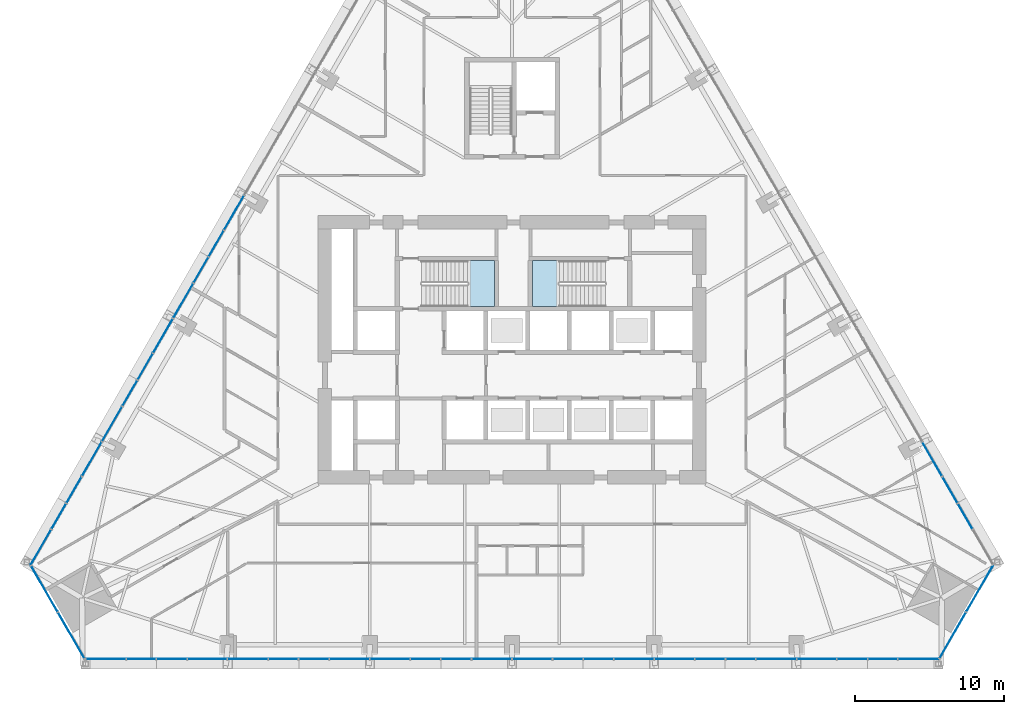
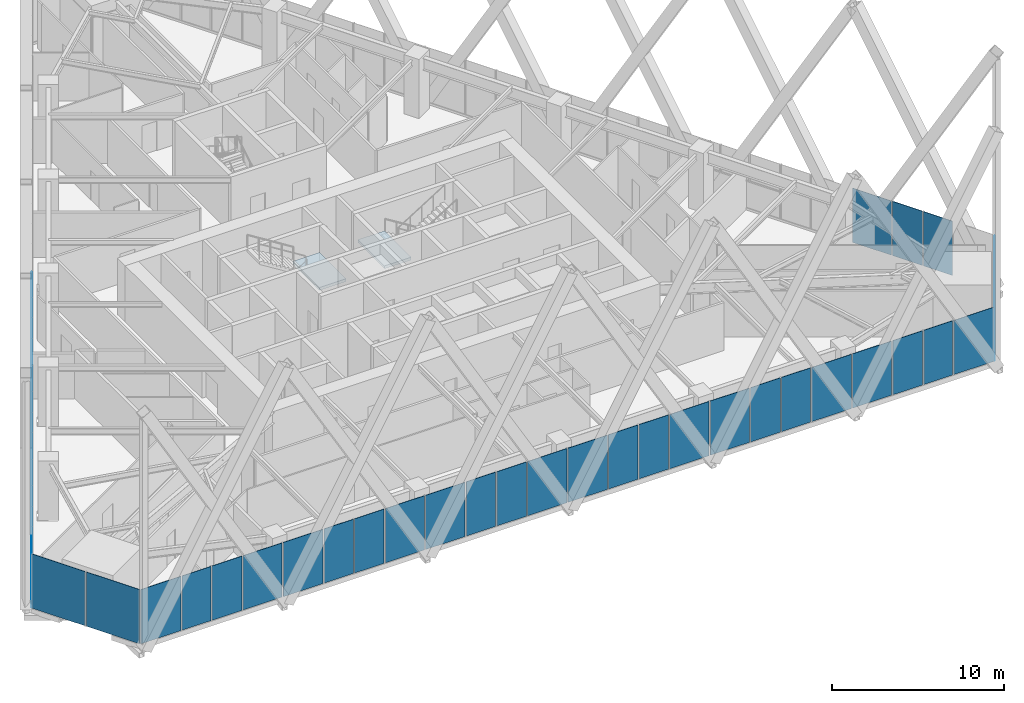
# One storey, part 13 of 23: 43 plates, 2 slabs, 7 elements without a shape of their own.
"""IFC4 building model written with IfcOpenShell, lengths in metres."""

from ifc_helpers import new_model, si_unit, direction, frame, origin, place, context, subcontext, project, spatial, polyline, outline, extrude, material, layer, layer_set, type_object, element, aggregate, save


model = new_model("IFC4")

# Units and contexts
model_context = context("Model", 3, precision=1e-05, world=origin(), true_north=direction((0.0, 1.0)))
body_context = subcontext(model_context, "Body", "Model", "MODEL_VIEW")
ifc_project = project(units=[si_unit("LENGTHUNIT", "METRE"), si_unit("AREAUNIT", "SQUARE_METRE"), si_unit("VOLUMEUNIT", "CUBIC_METRE"), si_unit("PLANEANGLEUNIT", "RADIAN"), si_unit("MASSUNIT", "GRAM", prefix="KILO")], contexts=[model_context])

# Site, building, storey
site_placement = place(None, origin())
site = spatial("IfcSite", under=ifc_project, at=site_placement, CompositionType="ELEMENT")
building_placement = place(site_placement, origin())
building = spatial("IfcBuilding", under=site, at=building_placement, Name="Firuza Gate Tower and Library", CompositionType="ELEMENT")
storey_placement = place(building_placement, frame((0.0, 0.0, 56.800048828125)))
storey = spatial("IfcBuildingStorey", under=building, at=storey_placement, Name="L12", CompositionType="ELEMENT", Elevation=56.800048828125)

# Curtain wall, plates
ifc_material_1 = material(Name="Aluminium 6063-T6", Category="aluminium")
ifc_layer_1 = layer(ifc_material_1, 0.14990234375)
ifc_layer_set_1 = layer_set([ifc_layer_1], Name="Corner curtain wall, chamfers")
curtain_wall_type_1 = type_object("IfcCurtainWallType", Name="Corner curtain wall, chamfers", PredefinedType="NOTDEFINED", material=ifc_layer_set_1)
placement_1 = place(storey_placement, origin())
curtain_wall_1 = element("IfcCurtainWall", 1, at=placement_1, inside=storey, type_object=curtain_wall_type_1, Name="CW4 L12 SE corner", PredefinedType="NOTDEFINED")
ifc_material_2 = material(Name="Fritted glass", Category="glass")
ifc_layer_2 = layer(ifc_material_2, 0.030029296875)
ifc_layer_set_2 = layer_set([ifc_layer_2], Name="Fritted glass unit, corners")
plate_type_1 = type_object("IfcPlateType", Name="Fritted glass unit, corners", PredefinedType="CURTAIN_PANEL", material=ifc_layer_set_2)
plate_1_placement = place(storey_placement, frame((103.6796875, 54.281005859375, 0.14990234375), z_axis=(0.866016723041, -0.500015035186, 0.0), x_axis=(0.500015035186, 0.866016723041, 0.0)))
plate_1 = element("IfcPlate", 2, at=plate_1_placement, type_object=plate_type_1, Name="Glass unit", PredefinedType="CURTAIN_PANEL", context=body_context, shape_type="SweptSolid", body=[
    extrude(outline(polyline([(0.0, 0.0), (3.5633694106530625, 0.0), (3.5633694106530625, 3.85009765625), (0.0, 3.85009765625), (0.0, 0.0)])), origin(), (0.0, 0.0, -1.0), 0.030029296875),
])
plate_2_placement = place(storey_placement, frame((105.501220703125, 57.436279296875, 0.14990234375), z_axis=(0.866016723041, -0.500015035186, 0.0), x_axis=(0.500015035186, 0.866016723041, 0.0)))
plate_2 = element("IfcPlate", 3, at=plate_2_placement, type_object=plate_type_1, Name="Glass unit", PredefinedType="CURTAIN_PANEL", context=body_context, shape_type="SweptSolid", body=[
    extrude(outline(polyline([(0.0, 0.0), (3.5633694106530625, 0.0), (3.5633694106530625, 3.85009765625), (0.0, 3.85009765625), (0.0, 0.0)])), origin(), (0.0, 0.0, -1.0), 0.030029296875),
])
aggregate(curtain_wall_1, [plate_1, plate_2])

curtain_wall_2 = element("IfcCurtainWall", 4, at=placement_1, inside=storey, type_object=curtain_wall_type_1, Name="CW4 L12 SW corner", PredefinedType="NOTDEFINED")
plate_3_placement = place(storey_placement, frame((42.717041015625, 60.522216796875, 0.14990234375), z_axis=(-0.866016723041, -0.500015035186, 0.0), x_axis=(0.500015035186, -0.866016723041, 0.0)))
plate_3 = element("IfcPlate", 5, at=plate_3_placement, type_object=plate_type_1, Name="Glass unit", PredefinedType="CURTAIN_PANEL", context=body_context, shape_type="SweptSolid", body=[
    extrude(outline(polyline([(0.0, 0.0), (3.5633694106530625, 0.0), (3.5633694106530625, 3.85009765625), (0.0, 3.85009765625), (0.0, 0.0)])), origin(), (0.0, 0.0, -1.0), 0.030029296875),
])
plate_4_placement = place(storey_placement, frame((44.53857421875, 57.366943359375, 0.14990234375), z_axis=(-0.866016723041, -0.500015035186, 0.0), x_axis=(0.500015035186, -0.866016723041, 0.0)))
plate_4 = element("IfcPlate", 6, at=plate_4_placement, type_object=plate_type_1, Name="Glass unit", PredefinedType="CURTAIN_PANEL", context=body_context, shape_type="SweptSolid", body=[
    extrude(outline(polyline([(0.0, 0.0), (3.5633694106530625, 0.0), (3.5633694106530625, 3.85009765625), (0.0, 3.85009765625), (0.0, 0.0)])), origin(), (0.0, 0.0, -1.0), 0.030029296875),
])
aggregate(curtain_wall_2, [plate_3, plate_4])

ifc_material_3 = material(Name="Aluminium 6063-T6", Category="aluminium")
ifc_layer_3 = layer(ifc_material_3, 0.14990234375)
ifc_layer_set_3 = layer_set([ifc_layer_3], Name="Unitised curtain wall, offices")
curtain_wall_type_2 = type_object("IfcCurtainWallType", Name="Unitised curtain wall, offices", PredefinedType="NOTDEFINED", material=ifc_layer_set_3)
curtain_wall_3 = element("IfcCurtainWall", 7, at=placement_1, inside=storey, type_object=curtain_wall_type_2, Name="CW1 L12 S face", PredefinedType="NOTDEFINED")
ifc_material_4 = material(Name="Fritted glass", Category="glass")
ifc_layer_4 = layer(ifc_material_4, 0.030029296875)
ifc_layer_set_4 = layer_set([ifc_layer_4], Name="Fritted glass unit, offices")
plate_type_2 = type_object("IfcPlateType", Name="Fritted glass unit, offices", PredefinedType="CURTAIN_PANEL", material=ifc_layer_set_4)
plate_5_placement = place(storey_placement, frame((49.154296875, 54.239013671875, 0.14990234375), z_axis=(0.0, -1.0, 0.0), x_axis=(1.0, 0.0, 0.0)))
plate_5 = element("IfcPlate", 8, at=plate_5_placement, type_object=plate_type_2, Name="Glass unit", PredefinedType="CURTAIN_PANEL", context=body_context, shape_type="SweptSolid", body=[
    extrude(outline(polyline([(0.0, 0.0), (1.93359375, 0.0), (1.93359375, 3.85009765625), (0.0, 3.85009765625), (0.0, 0.0)])), origin(), (0.0, 0.0, -1.0), 0.030029296875),
])
plate_6_placement = place(storey_placement, frame((51.167724609375, 54.239013671875, 0.14990234375), z_axis=(0.0, -1.0, 0.0), x_axis=(1.0, 0.0, 0.0)))
plate_6 = element("IfcPlate", 9, at=plate_6_placement, type_object=plate_type_2, Name="Glass unit", PredefinedType="CURTAIN_PANEL", context=body_context, shape_type="SweptSolid", body=[
    extrude(outline(polyline([(0.0, 0.0), (2.005859375, 0.0), (2.005859375, 3.85009765625), (0.0, 3.85009765625), (0.0, 0.0)])), origin(), (0.0, 0.0, -1.0), 0.030029296875),
])
plate_7_placement = place(storey_placement, frame((58.688720703125, 54.239013671875, 0.14990234375), z_axis=(0.0, -1.0, 0.0), x_axis=(1.0, 0.0, 0.0)))
plate_7 = element("IfcPlate", 10, at=plate_7_placement, type_object=plate_type_2, Name="Glass unit", PredefinedType="CURTAIN_PANEL", context=body_context, shape_type="SweptSolid", body=[
    extrude(outline(polyline([(0.0, 0.0), (1.947998046875, 0.0), (1.947998046875, 3.85009765625), (0.0, 3.85009765625), (0.0, 0.0)])), origin(), (0.0, 0.0, -1.0), 0.030029296875),
])
plate_8_placement = place(storey_placement, frame((60.716552734375, 54.239013671875, 0.14990234375), z_axis=(0.0, -1.0, 0.0), x_axis=(1.0, 0.0, 0.0)))
plate_8 = element("IfcPlate", 11, at=plate_8_placement, type_object=plate_type_2, Name="Glass unit", PredefinedType="CURTAIN_PANEL", context=body_context, shape_type="SweptSolid", body=[
    extrude(outline(polyline([(0.0, 0.0), (1.991455078125, 0.0), (1.991455078125, 3.85009765625), (0.0, 3.85009765625), (0.0, 0.0)])), origin(), (0.0, 0.0, -1.0), 0.030029296875),
])
plate_9_placement = place(storey_placement, frame((68.22314453125, 54.239013671875, 0.14990234375), z_axis=(0.0, -1.0, 0.0), x_axis=(1.0, 0.0, 0.0)))
plate_9 = element("IfcPlate", 12, at=plate_9_placement, type_object=plate_type_2, Name="Glass unit", PredefinedType="CURTAIN_PANEL", context=body_context, shape_type="SweptSolid", body=[
    extrude(outline(polyline([(0.0, 0.0), (1.96240234375, 0.0), (1.96240234375, 3.85009765625), (0.0, 3.85009765625), (0.0, 0.0)])), origin(), (0.0, 0.0, -1.0), 0.030029296875),
])
plate_10_placement = place(storey_placement, frame((70.265625, 54.239013671875, 0.14990234375), z_axis=(0.0, -1.0, 0.0), x_axis=(1.0, 0.0, 0.0)))
plate_10 = element("IfcPlate", 13, at=plate_10_placement, type_object=plate_type_2, Name="Glass unit", PredefinedType="CURTAIN_PANEL", context=body_context, shape_type="SweptSolid", body=[
    extrude(outline(polyline([(0.0, 0.0), (1.976806640625, 0.0), (1.976806640625, 3.85009765625), (0.0, 3.85009765625), (0.0, 0.0)])), origin(), (0.0, 0.0, -1.0), 0.030029296875),
])
plate_11_placement = place(storey_placement, frame((77.757568359375, 54.239013671875, 0.14990234375), z_axis=(0.0, -1.0, 0.0), x_axis=(1.0, 0.0, 0.0)))
plate_11 = element("IfcPlate", 14, at=plate_11_placement, type_object=plate_type_2, Name="Glass unit", PredefinedType="CURTAIN_PANEL", context=body_context, shape_type="SweptSolid", body=[
    extrude(outline(polyline([(0.0, 0.0), (1.976806640625, 0.0), (1.976806640625, 3.85009765625), (0.0, 3.85009765625), (0.0, 0.0)])), origin(), (0.0, 0.0, -1.0), 0.030029296875),
])
plate_12_placement = place(storey_placement, frame((79.814453125, 54.239013671875, 0.14990234375), z_axis=(0.0, -1.0, 0.0), x_axis=(1.0, 0.0, 0.0)))
plate_12 = element("IfcPlate", 15, at=plate_12_placement, type_object=plate_type_2, Name="Glass unit", PredefinedType="CURTAIN_PANEL", context=body_context, shape_type="SweptSolid", body=[
    extrude(outline(polyline([(0.0, 0.0), (1.96240234375, 0.0), (1.96240234375, 3.85009765625), (0.0, 3.85009765625), (0.0, 0.0)])), origin(), (0.0, 0.0, -1.0), 0.030029296875),
])
plate_13_placement = place(storey_placement, frame((87.2919921875, 54.239013671875, 0.14990234375), z_axis=(0.0, -1.0, 0.0), x_axis=(1.0, 0.0, 0.0)))
plate_13 = element("IfcPlate", 16, at=plate_13_placement, type_object=plate_type_2, Name="Glass unit", PredefinedType="CURTAIN_PANEL", context=body_context, shape_type="SweptSolid", body=[
    extrude(outline(polyline([(0.0, 0.0), (1.991455078125, 0.0), (1.991455078125, 3.85009765625), (0.0, 3.85009765625), (0.0, 0.0)])), origin(), (0.0, 0.0, -1.0), 0.030029296875),
])
plate_14_placement = place(storey_placement, frame((89.36328125, 54.239013671875, 0.14990234375), z_axis=(0.0, -1.0, 0.0), x_axis=(1.0, 0.0, 0.0)))
plate_14 = element("IfcPlate", 17, at=plate_14_placement, type_object=plate_type_2, Name="Glass unit", PredefinedType="CURTAIN_PANEL", context=body_context, shape_type="SweptSolid", body=[
    extrude(outline(polyline([(0.0, 0.0), (1.947998046875, 0.0), (1.947998046875, 3.85009765625), (0.0, 3.85009765625), (0.0, 0.0)])), origin(), (0.0, 0.0, -1.0), 0.030029296875),
])
plate_15_placement = place(storey_placement, frame((96.826416015625, 54.239013671875, 0.14990234375), z_axis=(0.0, -1.0, 0.0), x_axis=(1.0, 0.0, 0.0)))
plate_15 = element("IfcPlate", 18, at=plate_15_placement, type_object=plate_type_2, Name="Glass unit", PredefinedType="CURTAIN_PANEL", context=body_context, shape_type="SweptSolid", body=[
    extrude(outline(polyline([(0.0, 0.0), (2.005859375, 0.0), (2.005859375, 3.85009765625), (0.0, 3.85009765625), (0.0, 0.0)])), origin(), (0.0, 0.0, -1.0), 0.030029296875),
])
plate_16_placement = place(storey_placement, frame((98.912109375, 54.239013671875, 0.14990234375), z_axis=(0.0, -1.0, 0.0), x_axis=(1.0, 0.0, 0.0)))
plate_16 = element("IfcPlate", 19, at=plate_16_placement, type_object=plate_type_2, Name="Glass unit", PredefinedType="CURTAIN_PANEL", context=body_context, shape_type="SweptSolid", body=[
    extrude(outline(polyline([(0.0, 0.0), (1.93359375, 0.0), (1.93359375, 3.85009765625), (0.0, 3.85009765625), (0.0, 0.0)])), origin(), (0.0, 0.0, -1.0), 0.030029296875),
])

curtain_wall_4 = element("IfcCurtainWall", 20, at=placement_1, inside=storey, type_object=curtain_wall_type_2, Name="CW1 L12 E face", PredefinedType="NOTDEFINED")
plate_17_placement = place(storey_placement, frame((105.902587890625, 62.997314453125, 0.14990234375), z_axis=(0.86602789119, 0.499995691662, 0.0), x_axis=(-0.499995691662, 0.86602789119, 0.0)))
plate_17 = element("IfcPlate", 21, at=plate_17_placement, type_object=plate_type_2, Name="Glass unit", PredefinedType="CURTAIN_PANEL", context=body_context, shape_type="SweptSolid", body=[
    extrude(outline(polyline([(0.0, 0.0), (1.9336104112928398, 0.0), (1.9336104112928398, 3.85009765625), (0.0, 3.85009765625), (0.0, 0.0)])), origin(), (0.0, 0.0, -1.0), 0.030029296875),
])
plate_18_placement = place(storey_placement, frame((104.895751953125, 64.7412109375, 0.14990234375), z_axis=(0.866017348509, 0.500013951887, 0.0), x_axis=(-0.500013951887, 0.866017348509, 0.0)))
plate_18 = element("IfcPlate", 22, at=plate_18_placement, type_object=plate_type_2, Name="Glass unit", PredefinedType="CURTAIN_PANEL", context=body_context, shape_type="SweptSolid", body=[
    extrude(outline(polyline([(0.0, 0.0), (2.0058034055157354, 0.0), (2.0058034055157354, 3.85009765625), (0.0, 3.85009765625), (0.0, 0.0)])), origin(), (0.0, 0.0, -1.0), 0.030029296875),
])

curtain_wall_5 = element("IfcCurtainWall", 23, at=placement_1, inside=storey, type_object=curtain_wall_type_2, Name="CW1 L12 W face", PredefinedType="NOTDEFINED")
plate_19_placement = place(storey_placement, frame((55.6416015625, 82.992431640625, 0.14990234375), z_axis=(-0.866023127892, 0.500003941941, 0.0), x_axis=(-0.500003941941, -0.866023127892, 0.0)))
plate_19 = element("IfcPlate", 24, at=plate_19_placement, type_object=plate_type_2, Name="Glass unit", PredefinedType="CURTAIN_PANEL", context=body_context, shape_type="SweptSolid", body=[
    extrude(outline(polyline([(0.0, 0.0), (1.977035194537148, 0.0), (1.977035194537148, 3.85009765625), (0.0, 3.85009765625), (0.0, 0.0)])), origin(), (0.0, 0.0, -1.0), 0.030029296875),
])
plate_20_placement = place(storey_placement, frame((54.613037109375, 81.211181640625, 0.14990234375), z_axis=(-0.866053012549, 0.499952177167, 0.0), x_axis=(-0.499952177167, -0.866053012549, 0.0)))
plate_20 = element("IfcPlate", 25, at=plate_20_placement, type_object=plate_type_2, Name="Glass unit", PredefinedType="CURTAIN_PANEL", context=body_context, shape_type="SweptSolid", body=[
    extrude(outline(polyline([(0.0, 0.0), (1.9625900569832617, 0.0), (1.9625900569832617, 3.85009765625), (0.0, 3.85009765625), (0.0, 0.0)])), origin(), (0.0, 0.0, -1.0), 0.030029296875),
])
plate_21_placement = place(storey_placement, frame((50.874267578125, 74.7353515625, 0.14990234375), z_axis=(-0.86604676013, 0.4999630079, 0.0), x_axis=(-0.4999630079, -0.86604676013, 0.0)))
plate_21 = element("IfcPlate", 26, at=plate_21_placement, type_object=plate_type_2, Name="Glass unit", PredefinedType="CURTAIN_PANEL", context=body_context, shape_type="SweptSolid", body=[
    extrude(outline(polyline([(0.0, 0.0), (1.991358266546429, 0.0), (1.991358266546429, 3.85009765625), (0.0, 3.85009765625), (0.0, 0.0)])), origin(), (0.0, 0.0, -1.0), 0.030029296875),
])
plate_22_placement = place(storey_placement, frame((49.838623046875, 72.941650390625, 0.14990234375), z_axis=(-0.866083337222, 0.499899642914, 0.0), x_axis=(-0.499899642914, -0.866083337222, 0.0)))
plate_22 = element("IfcPlate", 27, at=plate_22_placement, type_object=plate_type_2, Name="Glass unit", PredefinedType="CURTAIN_PANEL", context=body_context, shape_type="SweptSolid", body=[
    extrude(outline(polyline([(0.0, 0.0), (1.9481449265450719, 0.0), (1.9481449265450719, 3.85009765625), (0.0, 3.85009765625), (0.0, 0.0)])), origin(), (0.0, 0.0, -1.0), 0.030029296875),
])
plate_23_placement = place(storey_placement, frame((46.107177734375, 66.478271484375, 0.14990234375), z_axis=(-0.866017348509, 0.500013951887, 0.0), x_axis=(-0.500013951887, -0.866017348509, 0.0)))
plate_23 = element("IfcPlate", 28, at=plate_23_placement, type_object=plate_type_2, Name="Glass unit", PredefinedType="CURTAIN_PANEL", context=body_context, shape_type="SweptSolid", body=[
    extrude(outline(polyline([(0.0, 0.0), (2.0058034055157354, 0.0), (2.0058034055157354, 3.85009765625), (0.0, 3.85009765625), (0.0, 0.0)])), origin(), (0.0, 0.0, -1.0), 0.030029296875),
])
plate_24_placement = place(storey_placement, frame((45.064208984375, 64.671875, 0.14990234375), z_axis=(-0.86602789119, 0.499995691662, 0.0), x_axis=(-0.499995691662, -0.86602789119, 0.0)))
plate_24 = element("IfcPlate", 29, at=plate_24_placement, type_object=plate_type_2, Name="Glass unit", PredefinedType="CURTAIN_PANEL", context=body_context, shape_type="SweptSolid", body=[
    extrude(outline(polyline([(0.0, 0.0), (1.9336104112928398, 0.0), (1.9336104112928398, 3.85009765625), (0.0, 3.85009765625), (0.0, 0.0)])), origin(), (0.0, 0.0, -1.0), 0.030029296875),
])

# Plate
ifc_material_5 = material(Name="Glazed ceramic tile")
ifc_layer_5 = layer(ifc_material_5, 0.030029296875)
ifc_layer_set_5 = layer_set([ifc_layer_5], Name="Opaque ceramic panel, offices")
plate_type_3 = type_object("IfcPlateType", Name="Opaque ceramic panel, offices", PredefinedType="CURTAIN_PANEL", material=ifc_layer_set_5)
plate_25_placement = place(storey_placement, frame((46.393310546875, 54.239013671875, 0.14990234375), z_axis=(0.0, -1.0, 0.0), x_axis=(1.0, 0.0, 0.0)))
plate_25 = element("IfcPlate", 30, at=plate_25_placement, type_object=plate_type_3, Name="Opaque ceramic panel", PredefinedType="CURTAIN_PANEL", context=body_context, shape_type="SweptSolid", body=[
    extrude(outline(polyline([(0.0, 0.0), (2.680908203125, 0.0), (2.680908203125, 3.85009765625), (0.0, 3.85009765625), (0.0, 0.0)])), origin(), (0.0, 0.0, -1.0), 0.030029296875),
])

plate_26_placement = place(storey_placement, frame((53.25341796875, 54.239013671875, 0.14990234375), z_axis=(0.0, -1.0, 0.0), x_axis=(1.0, 0.0, 0.0)))
plate_26 = element("IfcPlate", 31, at=plate_26_placement, type_object=plate_type_3, Name="Opaque ceramic panel", PredefinedType="CURTAIN_PANEL", context=body_context, shape_type="SweptSolid", body=[
    extrude(outline(polyline([(0.0, 0.0), (2.60888671875, 0.0), (2.60888671875, 3.85009765625), (0.0, 3.85009765625), (0.0, 0.0)])), origin(), (0.0, 0.0, -1.0), 0.030029296875),
])

plate_27_placement = place(storey_placement, frame((55.942138671875, 54.239013671875, 0.14990234375), z_axis=(0.0, -1.0, 0.0), x_axis=(1.0, 0.0, 0.0)))
plate_27 = element("IfcPlate", 32, at=plate_27_placement, type_object=plate_type_3, Name="Opaque ceramic panel", PredefinedType="CURTAIN_PANEL", context=body_context, shape_type="SweptSolid", body=[
    extrude(outline(polyline([(0.0, 0.0), (2.66650390625, 0.0), (2.66650390625, 3.85009765625), (0.0, 3.85009765625), (0.0, 0.0)])), origin(), (0.0, 0.0, -1.0), 0.030029296875),
])

plate_28_placement = place(storey_placement, frame((62.7880859375, 54.239013671875, 0.14990234375), z_axis=(0.0, -1.0, 0.0), x_axis=(1.0, 0.0, 0.0)))
plate_28 = element("IfcPlate", 33, at=plate_28_placement, type_object=plate_type_3, Name="Opaque ceramic panel", PredefinedType="CURTAIN_PANEL", context=body_context, shape_type="SweptSolid", body=[
    extrude(outline(polyline([(0.0, 0.0), (2.623046875, 0.0), (2.623046875, 3.85009765625), (0.0, 3.85009765625), (0.0, 0.0)])), origin(), (0.0, 0.0, -1.0), 0.030029296875),
])

plate_29_placement = place(storey_placement, frame((65.4912109375, 54.239013671875, 0.14990234375), z_axis=(0.0, -1.0, 0.0), x_axis=(1.0, 0.0, 0.0)))
plate_29 = element("IfcPlate", 34, at=plate_29_placement, type_object=plate_type_3, Name="Opaque ceramic panel", PredefinedType="CURTAIN_PANEL", context=body_context, shape_type="SweptSolid", body=[
    extrude(outline(polyline([(0.0, 0.0), (2.65185546875, 0.0), (2.65185546875, 3.85009765625), (0.0, 3.85009765625), (0.0, 0.0)])), origin(), (0.0, 0.0, -1.0), 0.030029296875),
])

plate_30_placement = place(storey_placement, frame((72.322509765625, 54.239013671875, 0.14990234375), z_axis=(0.0, -1.0, 0.0), x_axis=(1.0, 0.0, 0.0)))
plate_30 = element("IfcPlate", 35, at=plate_30_placement, type_object=plate_type_3, Name="Opaque ceramic panel", PredefinedType="CURTAIN_PANEL", context=body_context, shape_type="SweptSolid", body=[
    extrude(outline(polyline([(0.0, 0.0), (2.637451171875, 0.0), (2.637451171875, 3.85009765625), (0.0, 3.85009765625), (0.0, 0.0)])), origin(), (0.0, 0.0, -1.0), 0.030029296875),
])

plate_31_placement = place(storey_placement, frame((75.0400390625, 54.239013671875, 0.14990234375), z_axis=(0.0, -1.0, 0.0), x_axis=(1.0, 0.0, 0.0)))
plate_31 = element("IfcPlate", 36, at=plate_31_placement, type_object=plate_type_3, Name="Opaque ceramic panel", PredefinedType="CURTAIN_PANEL", context=body_context, shape_type="SweptSolid", body=[
    extrude(outline(polyline([(0.0, 0.0), (2.637451171875, 0.0), (2.637451171875, 3.85009765625), (0.0, 3.85009765625), (0.0, 0.0)])), origin(), (0.0, 0.0, -1.0), 0.030029296875),
])

plate_32_placement = place(storey_placement, frame((81.85693359375, 54.239013671875, 0.14990234375), z_axis=(0.0, -1.0, 0.0), x_axis=(1.0, 0.0, 0.0)))
plate_32 = element("IfcPlate", 37, at=plate_32_placement, type_object=plate_type_3, Name="Opaque ceramic panel", PredefinedType="CURTAIN_PANEL", context=body_context, shape_type="SweptSolid", body=[
    extrude(outline(polyline([(0.0, 0.0), (2.65185546875, 0.0), (2.65185546875, 3.85009765625), (0.0, 3.85009765625), (0.0, 0.0)])), origin(), (0.0, 0.0, -1.0), 0.030029296875),
])

plate_33_placement = place(storey_placement, frame((84.5888671875, 54.239013671875, 0.14990234375), z_axis=(0.0, -1.0, 0.0), x_axis=(1.0, 0.0, 0.0)))
plate_33 = element("IfcPlate", 38, at=plate_33_placement, type_object=plate_type_3, Name="Opaque ceramic panel", PredefinedType="CURTAIN_PANEL", context=body_context, shape_type="SweptSolid", body=[
    extrude(outline(polyline([(0.0, 0.0), (2.623046875, 0.0), (2.623046875, 3.85009765625), (0.0, 3.85009765625), (0.0, 0.0)])), origin(), (0.0, 0.0, -1.0), 0.030029296875),
])

plate_34_placement = place(storey_placement, frame((91.391357421875, 54.239013671875, 0.14990234375), z_axis=(0.0, -1.0, 0.0), x_axis=(1.0, 0.0, 0.0)))
plate_34 = element("IfcPlate", 39, at=plate_34_placement, type_object=plate_type_3, Name="Opaque ceramic panel", PredefinedType="CURTAIN_PANEL", context=body_context, shape_type="SweptSolid", body=[
    extrude(outline(polyline([(0.0, 0.0), (2.66650390625, 0.0), (2.66650390625, 3.85009765625), (0.0, 3.85009765625), (0.0, 0.0)])), origin(), (0.0, 0.0, -1.0), 0.030029296875),
])

plate_35_placement = place(storey_placement, frame((94.1376953125, 54.239013671875, 0.14990234375), z_axis=(0.0, -1.0, 0.0), x_axis=(1.0, 0.0, 0.0)))
plate_35 = element("IfcPlate", 40, at=plate_35_placement, type_object=plate_type_3, Name="Opaque ceramic panel", PredefinedType="CURTAIN_PANEL", context=body_context, shape_type="SweptSolid", body=[
    extrude(outline(polyline([(0.0, 0.0), (2.60888671875, 0.0), (2.60888671875, 3.85009765625), (0.0, 3.85009765625), (0.0, 0.0)])), origin(), (0.0, 0.0, -1.0), 0.030029296875),
])

plate_36_placement = place(storey_placement, frame((100.92578125, 54.239013671875, 0.14990234375), z_axis=(0.0, -1.0, 0.0), x_axis=(1.0, 0.0, 0.0)))
plate_36 = element("IfcPlate", 41, at=plate_36_placement, type_object=plate_type_3, Name="Opaque ceramic panel", PredefinedType="CURTAIN_PANEL", context=body_context, shape_type="SweptSolid", body=[
    extrude(outline(polyline([(0.0, 0.0), (2.680908203125, 0.0), (2.680908203125, 3.85009765625), (0.0, 3.85009765625), (0.0, 0.0)])), origin(), (0.0, 0.0, -1.0), 0.030029296875),
])

aggregate(curtain_wall_3, [plate_25, plate_5, plate_6, plate_26, plate_27, plate_7, plate_8, plate_28, plate_29, plate_9, plate_10, plate_30, plate_31, plate_11, plate_12, plate_32, plate_33, plate_13, plate_14, plate_34, plate_35, plate_15, plate_16, plate_36])

plate_37_placement = place(storey_placement, frame((103.852783203125, 66.547607421875, 0.14990234375), z_axis=(0.866034402474, 0.499984413489, 0.0), x_axis=(-0.499984413489, 0.866034402474, 0.0)))
plate_37 = element("IfcPlate", 42, at=plate_37_placement, type_object=plate_type_3, Name="Opaque ceramic panel", PredefinedType="CURTAIN_PANEL", context=body_context, shape_type="SweptSolid", body=[
    extrude(outline(polyline([(0.0, 0.0), (2.6084797516962457, 0.0), (2.6084797516962457, 3.85009765625), (0.0, 3.85009765625), (0.0, 0.0)])), origin(), (0.0, 0.0, -1.0), 0.030029296875),
])

aggregate(curtain_wall_4, [plate_17, plate_18, plate_37])

plate_38_placement = place(storey_placement, frame((57.00048828125, 85.345947265625, 0.14990234375), z_axis=(-0.866012943183, 0.500021581774, 0.0), x_axis=(-0.500021581774, -0.866012943183, 0.0)))
plate_38 = element("IfcPlate", 43, at=plate_38_placement, type_object=plate_type_3, Name="Opaque ceramic panel", PredefinedType="CURTAIN_PANEL", context=body_context, shape_type="SweptSolid", body=[
    extrude(outline(polyline([(0.0, 0.0), (2.637581465127422, 0.0), (2.637581465127422, 3.85009765625), (0.0, 3.85009765625), (0.0, 0.0)])), origin(), (0.0, 0.0, -1.0), 0.030029296875),
])

plate_39_placement = place(storey_placement, frame((53.591796875, 79.4423828125, 0.14990234375), z_axis=(-0.866053756817, 0.499950887891, 0.0), x_axis=(-0.499950887891, -0.866053756817, 0.0)))
plate_39 = element("IfcPlate", 44, at=plate_39_placement, type_object=plate_type_3, Name="Opaque ceramic panel", PredefinedType="CURTAIN_PANEL", context=body_context, shape_type="SweptSolid", body=[
    extrude(outline(polyline([(0.0, 0.0), (2.6521159707693442, 0.0), (2.6521159707693442, 3.85009765625), (0.0, 3.85009765625), (0.0, 0.0)])), origin(), (0.0, 0.0, -1.0), 0.030029296875),
])

plate_40_placement = place(storey_placement, frame((52.225830078125, 77.076416015625, 0.14990234375), z_axis=(-0.86603524742, 0.499982949935, 0.0), x_axis=(-0.499982949935, -0.86603524742, 0.0)))
plate_40 = element("IfcPlate", 45, at=plate_40_placement, type_object=plate_type_3, Name="Opaque ceramic panel", PredefinedType="CURTAIN_PANEL", context=body_context, shape_type="SweptSolid", body=[
    extrude(outline(polyline([(0.0, 0.0), (2.6231363242911305, 0.0), (2.6231363242911305, 3.850097656250001), (0.0, 3.850097656250001), (0.0, 0.0)])), origin(), (0.0, 0.0, -1.0), 0.030029296875),
])

plate_41_placement = place(storey_placement, frame((48.82470703125, 71.185302734375, 0.14990234375), z_axis=(-0.866031596129, 0.499989274391, 0.0), x_axis=(-0.499989274391, -0.866031596129, 0.0)))
plate_41 = element("IfcPlate", 46, at=plate_41_placement, type_object=plate_type_3, Name="Opaque ceramic panel", PredefinedType="CURTAIN_PANEL", context=body_context, shape_type="SweptSolid", body=[
    extrude(outline(polyline([(0.0, 0.0), (2.6665611072350224, 0.0), (2.6665611072350224, 3.8500976562499996), (0.0, 3.8500976562499996), (0.0, 0.0)])), origin(), (0.0, 0.0, -1.0), 0.030029296875),
])

plate_42_placement = place(storey_placement, frame((47.451416015625, 68.806640625, 0.14990234375), z_axis=(-0.866034402474, 0.499984413489, 0.0), x_axis=(-0.499984413489, -0.866034402474, 0.0)))
plate_42 = element("IfcPlate", 47, at=plate_42_placement, type_object=plate_type_3, Name="Opaque ceramic panel", PredefinedType="CURTAIN_PANEL", context=body_context, shape_type="SweptSolid", body=[
    extrude(outline(polyline([(0.0, 0.0), (2.6084797516962457, 0.0), (2.6084797516962457, 3.85009765625), (0.0, 3.85009765625), (0.0, 0.0)])), origin(), (0.0, 0.0, -1.0), 0.030029296875),
])

plate_43_placement = place(storey_placement, frame((44.057373046875, 62.92822265625, 0.14990234375), z_axis=(-0.866049104564, 0.499958946799, 0.0), x_axis=(-0.499958946799, -0.866049104564, 0.0)))
plate_43 = element("IfcPlate", 48, at=plate_43_placement, type_object=plate_type_3, Name="Opaque ceramic panel", PredefinedType="CURTAIN_PANEL", context=body_context, shape_type="SweptSolid", body=[
    extrude(outline(polyline([(0.0, 0.0), (2.6808841802557524, 0.0), (2.6808841802557524, 3.85009765625), (0.0, 3.85009765625), (0.0, 0.0)])), origin(), (0.0, 0.0, -1.0), 0.030029296875),
])

aggregate(curtain_wall_5, [plate_38, plate_19, plate_20, plate_39, plate_40, plate_21, plate_22, plate_41, plate_42, plate_23, plate_24, plate_43])

# Stair, slab
ifc_material_6 = material(Name="Concrete C35/45", Category="concrete")
stair_type = type_object("IfcStairType", Name="Exit stair ST5", PredefinedType="HALF_TURN_STAIR", material=ifc_material_6)
stair_1 = element("IfcStair", 49, at=placement_1, inside=storey, type_object=stair_type, Name="L12 Stair ST1", PredefinedType="HALF_TURN_STAIR")
ifc_material_7 = material(Name="Concrete C35/45", Category="concrete")
ifc_layer_6 = layer(ifc_material_7, 0.199951171875)
ifc_layer_set_6 = layer_set([ifc_layer_6], Name="Stair landing 200")
slab_type = type_object("IfcSlabType", Name="Stair landing 200", PredefinedType="LANDING", material=ifc_layer_set_6)
placement_2 = place(storey_placement, frame((0.0, 0.0, 1.89990234375)))
slab_1 = element("IfcSlab", 50, at=placement_2, type_object=slab_type, Name="ST1 landing 1", PredefinedType="LANDING", context=body_context, shape_type="SweptSolid", body=[
    extrude(outline(polyline([(72.02001953125, 77.89990234375), (73.81005859375, 77.89990234375), (73.81005859375, 80.97998046875), (72.02001953125, 80.97998046875), (72.02001953125, 77.89990234375)])), origin(), (0.0, 0.0, 1.0), 0.199951171875),
])
aggregate(stair_1, [slab_1])

stair_2 = element("IfcStair", 51, at=placement_1, inside=storey, type_object=stair_type, Name="L12 Stair ST2", PredefinedType="HALF_TURN_STAIR")
slab_2 = element("IfcSlab", 52, at=placement_2, type_object=slab_type, Name="ST2 landing 1", PredefinedType="LANDING", context=body_context, shape_type="SweptSolid", body=[
    extrude(outline(polyline([(78.179931640625, 80.97998046875), (76.389892578125, 80.97998046875), (76.389892578125, 77.89990234375), (78.179931640625, 77.89990234375), (78.179931640625, 80.97998046875)])), origin(), (0.0, 0.0, 1.0), 0.199951171875),
])
aggregate(stair_2, [slab_2])

save(model, "model.ifc")
